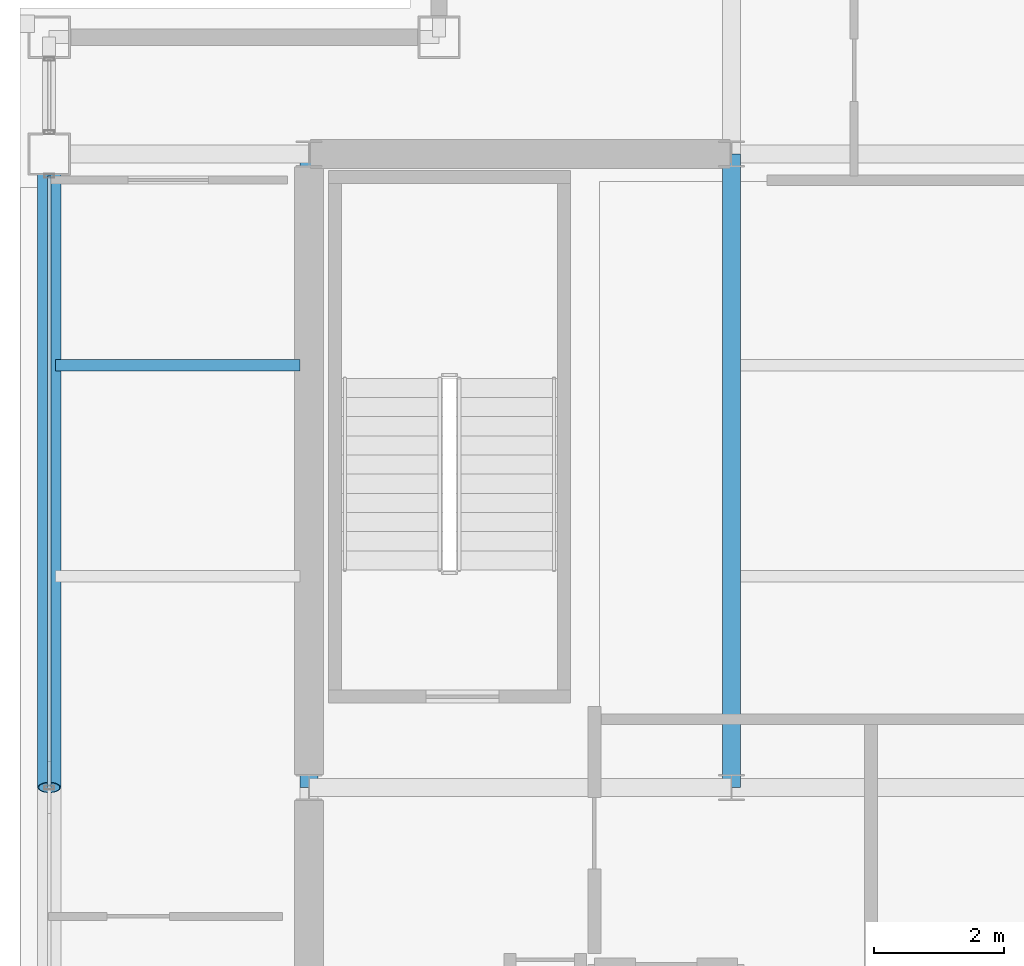
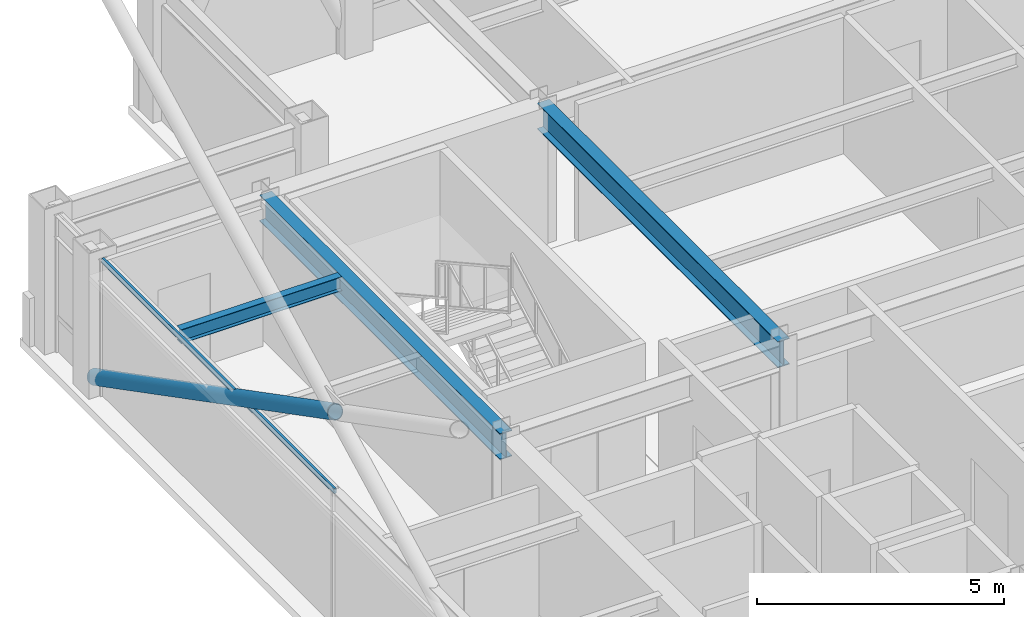
# One storey, part 11 of 28: 3 beams, 2 members, 1 element without a shape of its own.
"""IFC4 building model written with IfcOpenShell, lengths in metres."""

from ifc_helpers import new_model, si_unit, direction, frame, origin, origin_2d, place, context, subcontext, project, spatial, hollow_rectangle, hollow_circle, i_section, extrude, material, layer, layer_set, material_profile, profile_set, type_object, element, aggregate, save


model = new_model("IFC4")

# Units and contexts
model_context = context("Model", 3, precision=1e-05, world=origin(), true_north=direction((0.0, 1.0)))
body_context = subcontext(model_context, "Body", "Model", "MODEL_VIEW")
ifc_project = project(units=[si_unit("LENGTHUNIT", "METRE"), si_unit("AREAUNIT", "SQUARE_METRE"), si_unit("VOLUMEUNIT", "CUBIC_METRE"), si_unit("PLANEANGLEUNIT", "RADIAN"), si_unit("MASSUNIT", "GRAM", prefix="KILO")], contexts=[model_context])

# Site, building, storey
site_placement = place(None, origin())
site = spatial("IfcSite", under=ifc_project, at=site_placement, CompositionType="ELEMENT")
building_placement = place(site_placement, origin())
building = spatial("IfcBuilding", under=site, at=building_placement, Name="Brelmoor Portico Tower", CompositionType="ELEMENT")
storey_placement = place(building_placement, frame((0.0, 0.0, 225.60009765625)))
storey = spatial("IfcBuildingStorey", under=building, at=storey_placement, Name="L59", CompositionType="ELEMENT", Elevation=225.60009765625)

# Beams
ifc_material_1 = material(Name="Steel Q355B", Category="steel")
ifc_material_profile_1 = material_profile(ifc_material_1, i_section(OverallWidth=0.175048828125, OverallDepth=0.35009765625, WebThickness=0.007080078125, FlangeThickness=0.010986328125, at=origin_2d()), Name="HN 350x175x7x11")
ifc_profile_set_1 = profile_set([ifc_material_profile_1], Name="Steel Q355B")
beam_type_1 = type_object("IfcBeamType", Name="BM-JS-350", PredefinedType="JOIST", material=ifc_profile_set_1)
beam_placement = place(storey_placement, frame((-18.449951171875, 6.5, 3.224853515625), z_axis=(1.0, 0.0, 0.0), x_axis=(0.0, 1.0, 0.0)))
element("IfcBeam", 1, at=beam_placement, inside=storey, type_object=beam_type_1, Name="L59 Secondary Wing Joist JS-W10", PredefinedType="JOIST", context=body_context, shape_type="SweptSolid", body=[
    extrude(i_section(OverallWidth=0.175048828125, OverallDepth=0.35009765625, WebThickness=0.007080078125, FlangeThickness=0.010986328125, at=origin_2d()), origin(), (0.0, 0.0, 1.0), 3.760009765625),
])
ifc_material_profile_2 = material_profile(ifc_material_1, i_section(OverallWidth=0.280029296875, OverallDepth=0.64990234375, WebThickness=0.012939453125, FlangeThickness=0.02197265625, at=origin_2d()), Name="HN 650x280x13x22")
ifc_profile_set_2 = profile_set([ifc_material_profile_2], Name="Steel Q355B")
beam_type_2 = type_object("IfcBeamType", Name="BM-PG-650", PredefinedType="BEAM", material=ifc_profile_set_2)
for number, where, z_axis, x_axis, name in (
    (2, (-14.550048828125, 0.0, 3.074951171875), (0.0, 1.0, 0.0), (-1.0, 0.0, 0.0), "L59 Primary Floor Girder PG-02"),
    (3, (-8.050048828125, 0.0, 3.074951171875), (0.0, 1.0, 0.0), (-1.0, 0.0, 0.0), "L59 Primary Floor Girder PG-04"),
):
    element("IfcBeam", number, at=place(storey_placement, frame(where, z_axis=z_axis, x_axis=x_axis)), inside=storey, type_object=beam_type_2, Name=name, PredefinedType="BEAM", context=body_context, shape_type="SweptSolid", body=[
        extrude(i_section(OverallWidth=0.280029296875, OverallDepth=0.64990234375, WebThickness=0.012939453125, FlangeThickness=0.02197265625, at=origin_2d()), origin(), (0.0, 0.0, 1.0), 9.75),
    ])

# Member
ifc_material_profile_3 = material_profile(ifc_material_1, hollow_circle(Radius=0.177978515625, WallThickness=0.01611328125, at=origin_2d()), Name="CHS 356x16")
ifc_profile_set_3 = profile_set([ifc_material_profile_3], Name="Steel Q355B")
member_type_1 = type_object("IfcMemberType", Name="MB-BELT-DIAG2", PredefinedType="BRACE", material=ifc_profile_set_3)
member_1_placement = place(storey_placement, frame((-18.550048828125, 9.75, 0.25), z_axis=(0.0, -0.887968466347, 0.459904340894), x_axis=(1.0, 0.0, 0.0)))
element("IfcMember", 4, at=member_1_placement, inside=storey, type_object=member_type_1, Name="L59 Split Mega-X Brace 138B1", PredefinedType="BRACE", context=body_context, shape_type="SweptSolid", body=[
    extrude(hollow_circle(Radius=0.177978515625, WallThickness=0.01611328125, at=origin_2d()), origin(), (0.0, 0.0, 1.0), 10.980224609375),
])

# Curtain wall, member
ifc_material_2 = material(Name="Anodised Aluminium Alloy 6063-T6", Category="aluminium")
ifc_layer = layer(ifc_material_2, 0.179931640625)
ifc_layer_set = layer_set([ifc_layer], Name="Anodised Aluminium Alloy 6063-T6")
curtain_wall_type = type_object("IfcCurtainWallType", Name="CW-TOWER-Z4-XB", PredefinedType="NOTDEFINED", material=ifc_layer_set)
curtain_wall_placement = place(storey_placement, origin())
curtain_wall = element("IfcCurtainWall", 5, at=curtain_wall_placement, inside=storey, type_object=curtain_wall_type, Name="L59 Curtain Wall CW-L59-03-2", PredefinedType="NOTDEFINED")
ifc_material_profile_4 = material_profile(ifc_material_2, hollow_rectangle(XDim=0.06005859375, YDim=0.125, WallThickness=0.00341796875, at=origin_2d()), Name="ALU TRANSOM 60x125")
ifc_profile_set_4 = profile_set([ifc_material_profile_4], Name="Anodised Aluminium Alloy 6063-T6")
member_type_2 = type_object("IfcMemberType", Name="MB-CW-TRAN-125", PredefinedType="USERDEFINED", material=ifc_profile_set_4)
member_2_placement = place(storey_placement, frame((-18.550048828125, 0.0, 3.33740234375), z_axis=(0.0, 1.0, 0.0), x_axis=(-1.0, 0.0, 0.0)))
member_2 = element("IfcMember", 6, at=member_2_placement, type_object=member_type_2, Name="CW-L59-03-2 Transom 1-01", ObjectType="TRANSOM", PredefinedType="USERDEFINED", context=body_context, shape_type="SweptSolid", body=[
    extrude(hollow_rectangle(XDim=0.06005859375, YDim=0.125, WallThickness=0.00341796875, at=origin_2d()), origin(), (0.0, 0.0, 1.0), 9.4150390625),
])
aggregate(curtain_wall, [member_2])

save(model, "model.ifc")
